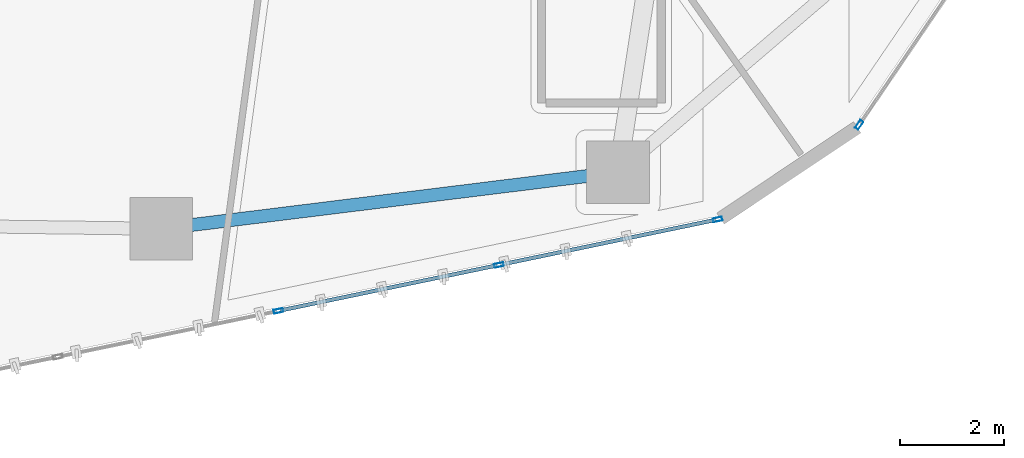
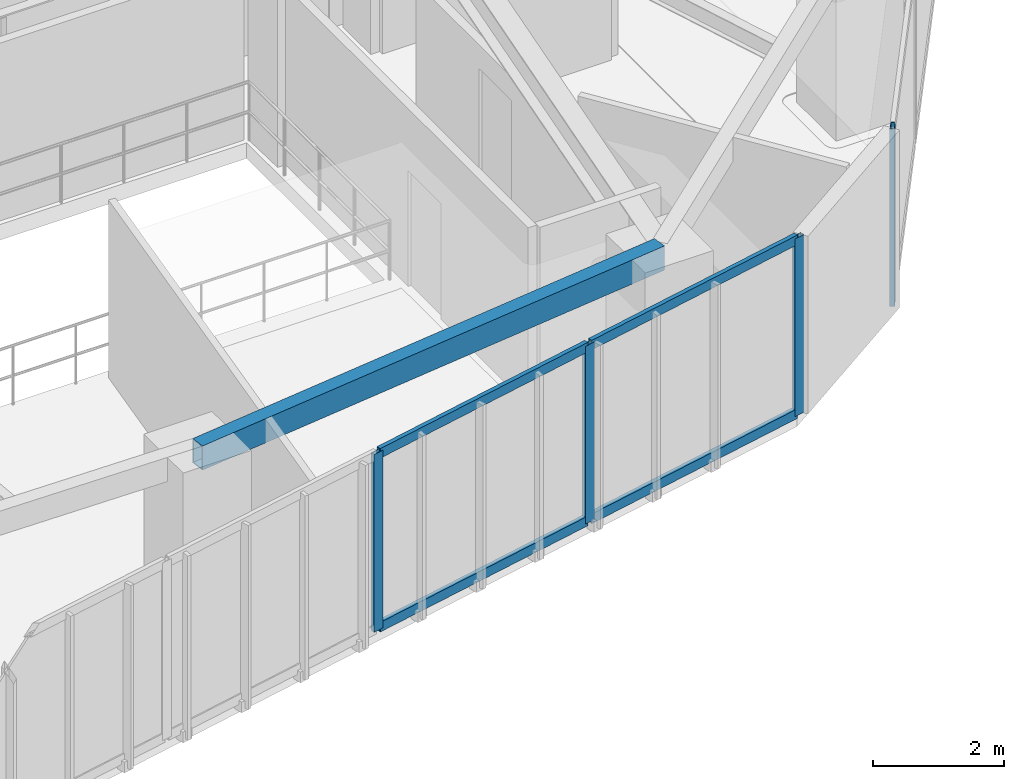
# One storey, part 6 of 22: 8 members, 1 beam, 2 elements without a shape of their own.
"""IFC4 building model written with IfcOpenShell, lengths in metres."""

from ifc_helpers import new_model, si_unit, direction, frame, origin, origin_2d, place, context, subcontext, project, spatial, hollow_rectangle, extrude, source, transform, mapped, material, layer, layer_set, material_profile, profile_set, type_object, type_shapes, element, aggregate, save


model = new_model("IFC4")

# Units and contexts
model_context = context("Model", 3, precision=1e-05, world=origin(), true_north=direction((0.0, 1.0)))
body_context = subcontext(model_context, "Body", "Model", "MODEL_VIEW")
ifc_project = project(units=[si_unit("LENGTHUNIT", "METRE"), si_unit("AREAUNIT", "SQUARE_METRE"), si_unit("VOLUMEUNIT", "CUBIC_METRE"), si_unit("PLANEANGLEUNIT", "RADIAN"), si_unit("MASSUNIT", "GRAM", prefix="KILO")], contexts=[model_context])

# Site, building, storey
site_placement = place(None, origin())
site = spatial("IfcSite", under=ifc_project, at=site_placement, CompositionType="ELEMENT")
building_placement = place(site_placement, origin())
building = spatial("IfcBuilding", under=site, at=building_placement, Name="Talar Marvaseh", CompositionType="ELEMENT")
storey_placement = place(building_placement, frame((0.0, 0.0, 125.39990234375)))
storey = spatial("IfcBuildingStorey", under=building, at=storey_placement, Name="L32", CompositionType="ELEMENT", Elevation=125.39990234375)

# Beam
ifc_material_1 = material(Name="Steel S355", Category="steel")
ifc_material_profile_1 = material_profile(ifc_material_1, hollow_rectangle(XDim=0.25, YDim=0.449951171875, WallThickness=0.01611328125, at=origin_2d()), Name="RHS450x250x16")
ifc_profile_set_1 = profile_set([ifc_material_profile_1], Name="Steel S355")
beam_type = type_object("IfcBeamType", Name="Zone 2 Perimeter Spandrel Beam RHS450x250x16", PredefinedType="SPANDREL", material=ifc_profile_set_1)
beam_placement = place(storey_placement, frame((31.570068359375, 14.26806640625, 3.085205078125), z_axis=(-0.992426007218, -0.122843885468, 0.0), x_axis=(0.122843885468, -0.992426007218, 0.0)))
element("IfcBeam", 1, at=beam_placement, inside=storey, type_object=beam_type, Name="L32 Zone 2 Perimeter Spandrel Beam RHS450x250x16", PredefinedType="SPANDREL", context=body_context, shape_type="SweptSolid", body=[
    extrude(hollow_rectangle(XDim=0.25, YDim=0.449951171875, WallThickness=0.01611328125, at=origin_2d()), origin(), (0.0, 0.0, 1.0), 8.83203125),
])

# Curtain wall, member
ifc_material_2 = material(Name="Architectural Aluminium", Category="aluminium")
ifc_layer = layer(ifc_material_2, 0.199951171875)
ifc_layer_set = layer_set([ifc_layer], Name="Architectural Aluminium")
curtain_wall_type = type_object("IfcCurtainWallType", Name="Unitised Acoustic Library Curtain Wall Z2", PredefinedType="NOTDEFINED", material=ifc_layer_set)
curtain_wall_1_placement = place(storey_placement, origin())
curtain_wall_1 = element("IfcCurtainWall", 2, at=curtain_wall_1_placement, inside=storey, type_object=curtain_wall_type, Name="L32 Unitised Acoustic Library Curtain Wall Z2", PredefinedType="NOTDEFINED")
ifc_material_profile_2 = material_profile(ifc_material_2, hollow_rectangle(XDim=0.074951171875, YDim=0.179931640625, WallThickness=0.0048828125, at=origin_2d()), Name="RHS180x75x5")
ifc_profile_set_2 = profile_set([ifc_material_profile_2], Name="Architectural Aluminium")
member_type_1 = type_object("IfcMemberType", Name="Unitised Curtain Wall Standard Mullion RHS180x75x5", PredefinedType="MULLION", material=ifc_profile_set_2)
shared_shape_1 = source(origin(), body_context, "Body", "SweptSolid", [
    extrude(hollow_rectangle(XDim=0.074951171875, YDim=0.179931640625, WallThickness=0.0048828125, at=origin_2d()), origin(), (0.0, 0.0, 1.0), 3.31005859375),
])
type_shapes(member_type_1, [shared_shape_1])
member_1_placement = place(storey_placement, frame((36.19970703125, 15.177734375, 0.0), z_axis=(0.0, 0.0, 1.0), x_axis=(0.826503816633, -0.562931115761, 0.0)))
member_1 = element("IfcMember", 3, at=member_1_placement, type_object=member_type_1, Name="CW-Z2 mullion 6", PredefinedType="MULLION", context=body_context, shape_type="MappedRepresentation", body=[
    mapped(shared_shape_1, transform((0.0, 0.0, 0.0), x_axis=(1.0, 0.0, 0.0), y_axis=(0.0, 1.0, 0.0), z_axis=(0.0, 0.0, 1.0), scale=1.0)),
])
aggregate(curtain_wall_1, [member_1])

# Curtain wall, members
curtain_wall_2_placement = place(storey_placement, origin())
curtain_wall_2 = element("IfcCurtainWall", 4, at=curtain_wall_2_placement, inside=storey, type_object=curtain_wall_type, Name="L32 Unitised Acoustic Library Curtain Wall Z2", PredefinedType="NOTDEFINED")
member_2_placement = place(storey_placement, frame((33.48095703125, 13.361328125, 0.0), z_axis=(0.0, 0.0, 1.0), x_axis=(0.203791692408, -0.979014272677, 0.0)))
member_2 = element("IfcMember", 5, at=member_2_placement, type_object=member_type_1, Name="CW-Z2 mullion 1", PredefinedType="MULLION", context=body_context, shape_type="MappedRepresentation", body=[
    mapped(shared_shape_1, transform((0.0, 0.0, 0.0), x_axis=(1.0, 0.0, 0.0), y_axis=(0.0, 1.0, 0.0), z_axis=(0.0, 0.0, 1.0), scale=1.0)),
])
member_3_placement = place(storey_placement, frame((29.284912109375, 12.48779296875, 0.0), z_axis=(0.0, 0.0, 1.0), x_axis=(0.203791692408, -0.979014272677, 0.0)))
member_3 = element("IfcMember", 6, at=member_3_placement, type_object=member_type_1, Name="CW-Z2 mullion 2", PredefinedType="MULLION", context=body_context, shape_type="MappedRepresentation", body=[
    mapped(shared_shape_1, transform((0.0, 0.0, 0.0), x_axis=(1.0, 0.0, 0.0), y_axis=(0.0, 1.0, 0.0), z_axis=(0.0, 0.0, 1.0), scale=1.0)),
])
member_4_placement = place(storey_placement, frame((25.052001953125, 11.606689453125, 0.0), z_axis=(0.0, 0.0, 1.0), x_axis=(0.203791692408, -0.979014272677, 0.0)))
member_4 = element("IfcMember", 7, at=member_4_placement, type_object=member_type_1, Name="CW-Z2 mullion 3", PredefinedType="MULLION", context=body_context, shape_type="MappedRepresentation", body=[
    mapped(shared_shape_1, transform((0.0, 0.0, 0.0), x_axis=(1.0, 0.0, 0.0), y_axis=(0.0, 1.0, 0.0), z_axis=(0.0, 0.0, 1.0), scale=1.0)),
])
ifc_material_profile_3 = material_profile(ifc_material_2, hollow_rectangle(XDim=0.074951171875, YDim=0.179931640625, WallThickness=0.0048828125, at=origin_2d()), Name="RHS180x75x5")
ifc_profile_set_3 = profile_set([ifc_material_profile_3], Name="Architectural Aluminium")
member_type_2 = type_object("IfcMemberType", Name="Unitised Curtain Wall Transom RHS180x75x5", PredefinedType="USERDEFINED", material=ifc_profile_set_3)
shared_shape_2 = source(origin(), body_context, "Body", "SweptSolid", [
    extrude(hollow_rectangle(XDim=0.074951171875, YDim=0.179931640625, WallThickness=0.0048828125, at=origin_2d()), origin(), (0.0, 0.0, 1.0), 4.211181640625),
])
member_5_placement = place(storey_placement, frame((33.4443359375, 13.353515625, 0.03759765625), z_axis=(-0.979016578157, -0.203780616582, 0.0), x_axis=(0.203780616582, -0.979016578157, 0.0)))
member_5 = element("IfcMember", 8, at=member_5_placement, type_object=member_type_2, Name="CW-Z2 transom 1.1", ObjectType="TRANSOM", PredefinedType="USERDEFINED", context=body_context, shape_type="MappedRepresentation", body=[
    mapped(shared_shape_2, transform((0.0, 0.0, 0.0), x_axis=(1.0, 0.0, 0.0), y_axis=(0.0, 1.0, 0.0), z_axis=(0.0, 0.0, 1.0), scale=1.0)),
])
member_6_placement = place(storey_placement, frame((33.4443359375, 13.353515625, 3.272705078125), z_axis=(-0.979016578157, -0.203780616582, 0.0), x_axis=(0.203780616582, -0.979016578157, 0.0)))
member_6 = element("IfcMember", 9, at=member_6_placement, type_object=member_type_2, Name="CW-Z2 transom 1.2", ObjectType="TRANSOM", PredefinedType="USERDEFINED", context=body_context, shape_type="MappedRepresentation", body=[
    mapped(shared_shape_2, transform((0.0, 0.0, 0.0), x_axis=(1.0, 0.0, 0.0), y_axis=(0.0, 1.0, 0.0), z_axis=(0.0, 0.0, 1.0), scale=1.0)),
])
shared_shape_3 = source(origin(), body_context, "Body", "SweptSolid", [
    extrude(hollow_rectangle(XDim=0.074951171875, YDim=0.179931640625, WallThickness=0.0048828125, at=origin_2d()), origin(), (0.0, 0.0, 1.0), 4.24853515625),
])
type_shapes(member_type_2, [shared_shape_2, shared_shape_3])
member_7_placement = place(storey_placement, frame((29.248291015625, 12.480224609375, 0.03759765625), z_axis=(-0.979007660802, -0.203823453241, 0.0), x_axis=(0.203823453241, -0.979007660802, 0.0)))
member_7 = element("IfcMember", 10, at=member_7_placement, type_object=member_type_2, Name="CW-Z2 transom 2.1", ObjectType="TRANSOM", PredefinedType="USERDEFINED", context=body_context, shape_type="MappedRepresentation", body=[
    mapped(shared_shape_3, transform((0.0, 0.0, 0.0), x_axis=(1.0, 0.0, 0.0), y_axis=(0.0, 1.0, 0.0), z_axis=(0.0, 0.0, 1.0), scale=1.0)),
])
member_8_placement = place(storey_placement, frame((29.248291015625, 12.480224609375, 3.272705078125), z_axis=(-0.979007660802, -0.203823453241, 0.0), x_axis=(0.203823453241, -0.979007660802, 0.0)))
member_8 = element("IfcMember", 11, at=member_8_placement, type_object=member_type_2, Name="CW-Z2 transom 2.2", ObjectType="TRANSOM", PredefinedType="USERDEFINED", context=body_context, shape_type="MappedRepresentation", body=[
    mapped(shared_shape_3, transform((0.0, 0.0, 0.0), x_axis=(1.0, 0.0, 0.0), y_axis=(0.0, 1.0, 0.0), z_axis=(0.0, 0.0, 1.0), scale=1.0)),
])
aggregate(curtain_wall_2, [member_2, member_3, member_4, member_5, member_6, member_7, member_8])

save(model, "model.ifc")
